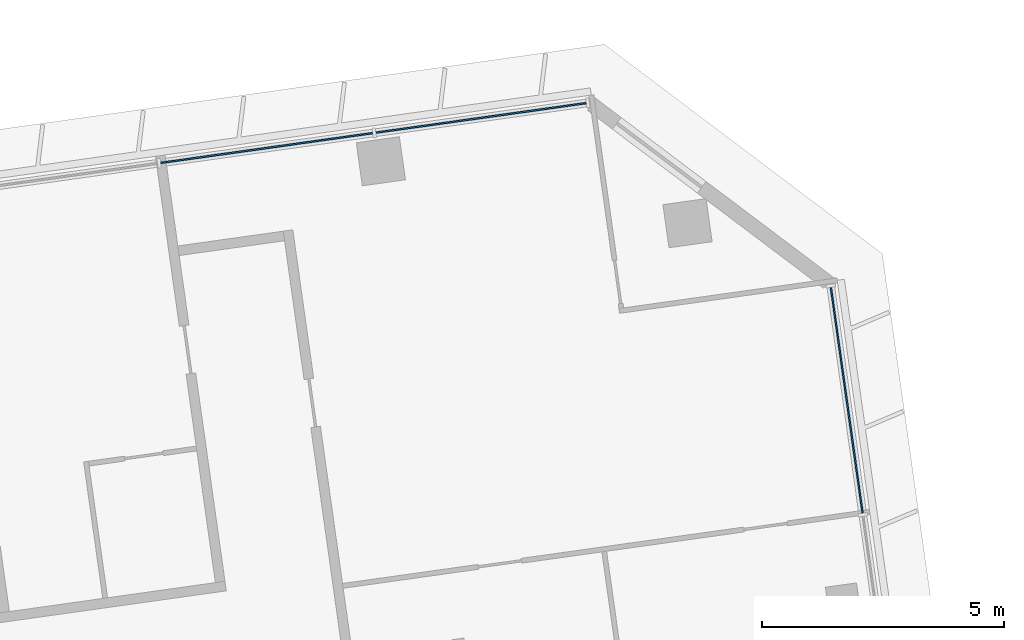
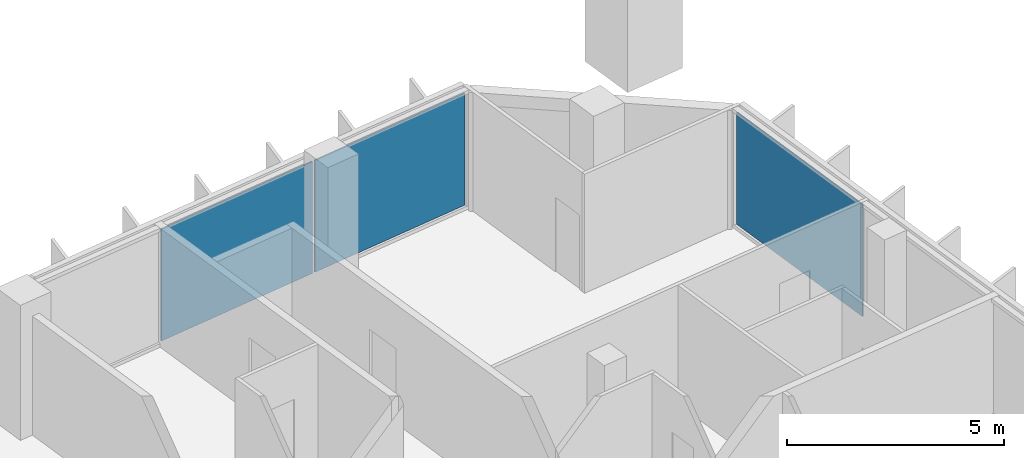
# One storey, part 13 of 26: 3 plates, 2 elements without a shape of their own.
"""IFC4 building model written with IfcOpenShell, lengths in metres."""

from ifc_helpers import new_model, si_unit, direction, frame, origin, origin_2d, place, context, subcontext, project, spatial, rectangle, extrude, material, layer, layer_set, type_object, element, aggregate, save


model = new_model("IFC4")

# Units and contexts
model_context = context("Model", 3, precision=1e-05, world=origin(), true_north=direction((0.0, 1.0)))
body_context = subcontext(model_context, "Body", "Model", "MODEL_VIEW")
ifc_project = project(units=[si_unit("LENGTHUNIT", "METRE"), si_unit("AREAUNIT", "SQUARE_METRE"), si_unit("VOLUMEUNIT", "CUBIC_METRE"), si_unit("PLANEANGLEUNIT", "RADIAN"), si_unit("MASSUNIT", "GRAM", prefix="KILO")], contexts=[model_context])

# Site, building, storey
site_placement = place(None, origin())
site = spatial("IfcSite", under=ifc_project, at=site_placement, CompositionType="ELEMENT")
building_placement = place(site_placement, origin())
building = spatial("IfcBuilding", under=site, at=building_placement, Name="Mirante Cascada Hotel Towers", CompositionType="ELEMENT")
storey_placement = place(building_placement, frame((0.0, 0.0, 140.5)))
storey = spatial("IfcBuildingStorey", under=building, at=storey_placement, Name="L32", CompositionType="ELEMENT", Elevation=140.5)

# Curtain wall, plates
ifc_material_1 = material(Name="Aluminium mullion and transom frame with clear laminated glass", Category="aluminium")
curtain_wall_type_1 = type_object("IfcCurtainWallType", Name="Ribbon curtain wall ECW1", PredefinedType="NOTDEFINED", material=ifc_material_1)
curtain_wall_1_placement = place(storey_placement, origin())
curtain_wall_1 = element("IfcCurtainWall", 1, at=curtain_wall_1_placement, inside=storey, type_object=curtain_wall_type_1, Name="Front ribbon wall T2 L32", PredefinedType="NOTDEFINED")
ifc_material_2 = material(Name="Clear laminated glass", Category="glass")
ifc_layer_1 = layer(ifc_material_2, 0.036)
ifc_layer_set_1 = layer_set([ifc_layer_1], Name="ECW1 glass panel 36")
plate_type_1 = type_object("IfcPlateType", Name="ECW1 glass panel 36", PredefinedType="CURTAIN_PANEL", material=ifc_layer_set_1)
plate_1_placement = place(storey_placement, frame((91.9184, 25.7373, 0.1), z_axis=(0.0, 0.0, 1.0), x_axis=(-0.9902681, -0.1391731, 0.0)))
plate_1 = element("IfcPlate", 2, at=plate_1_placement, type_object=plate_type_1, Name="ECW1 panel 1", PredefinedType="CURTAIN_PANEL", context=body_context, shape_type="SweptSolid", body=[
    extrude(rectangle(XDim=4.3936, YDim=0.036, at=origin_2d()), origin(), (0.0, 0.0, 1.0), 3.15),
])
plate_2_placement = place(storey_placement, frame((87.487, 25.1145, 0.1), z_axis=(0.0, 0.0, 1.0), x_axis=(-0.9902681, -0.1391731, 0.0)))
plate_2 = element("IfcPlate", 3, at=plate_2_placement, type_object=plate_type_1, Name="ECW1 panel 2", PredefinedType="CURTAIN_PANEL", context=body_context, shape_type="SweptSolid", body=[
    extrude(rectangle(XDim=4.4261, YDim=0.036, at=origin_2d()), origin(), (0.0, 0.0, 1.0), 3.15),
])
aggregate(curtain_wall_1, [plate_1, plate_2])

# Curtain wall, plate
ifc_material_3 = material(Name="Aluminium mullion and transom frame with clear laminated glass", Category="aluminium")
curtain_wall_type_2 = type_object("IfcCurtainWallType", Name="End ribbon curtain wall ECW2", PredefinedType="NOTDEFINED", material=ifc_material_3)
curtain_wall_2_placement = place(storey_placement, origin())
curtain_wall_2 = element("IfcCurtainWall", 4, at=curtain_wall_2_placement, inside=storey, type_object=curtain_wall_type_2, Name="Outer end wall T2 L32", PredefinedType="NOTDEFINED")
ifc_material_4 = material(Name="Clear laminated glass", Category="glass")
ifc_layer_2 = layer(ifc_material_4, 0.034)
ifc_layer_set_2 = layer_set([ifc_layer_2], Name="ECW2 glass panel 34")
plate_type_2 = type_object("IfcPlateType", Name="ECW2 glass panel 34", PredefinedType="CURTAIN_PANEL", material=ifc_layer_set_2)
plate_3_placement = place(storey_placement, frame((99.4786, 19.898, 0.1), z_axis=(0.0, 0.0, 1.0), x_axis=(-0.1391731, 0.9902681, 0.0)))
plate_3 = element("IfcPlate", 5, at=plate_3_placement, type_object=plate_type_2, Name="ECW2 panel 6", PredefinedType="CURTAIN_PANEL", context=body_context, shape_type="SweptSolid", body=[
    extrude(rectangle(XDim=4.7151, YDim=0.034, at=origin_2d()), origin(), (0.0, 0.0, 1.0), 3.15),
])
aggregate(curtain_wall_2, [plate_3])

save(model, "model.ifc")
